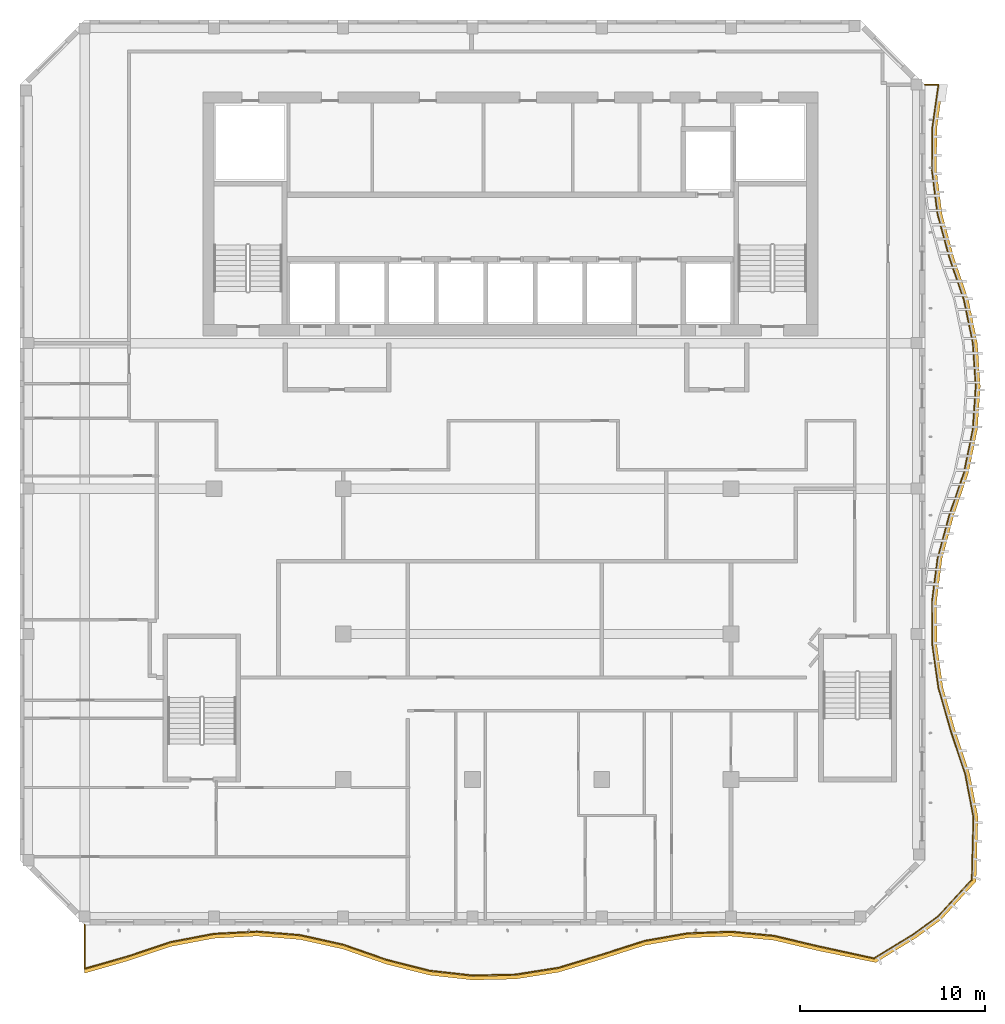
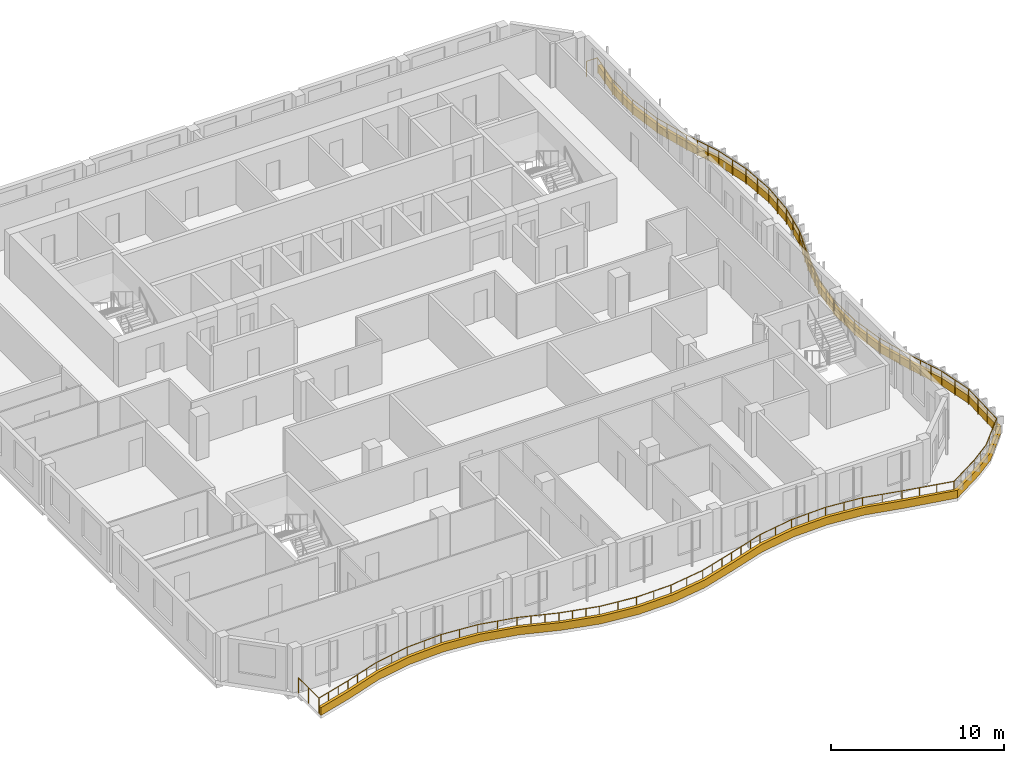
# One storey, part 12 of 17: 1 railing, 1 shading device.
"""IFC4 building model written with IfcOpenShell, lengths in metres."""

from ifc_helpers import new_model, si_unit, direction, frame, origin, origin_2d, place, context, subcontext, project, spatial, polyline, circle, outline, extrude, source, transform, mapped, material, layer, layer_set, type_object, element, save


model = new_model("IFC4")

# Units and contexts
model_context = context("Model", 3, precision=1e-05, world=origin(), true_north=direction((0.0, 1.0)))
body_context = subcontext(model_context, "Body", "Model", "MODEL_VIEW")
ifc_project = project(units=[si_unit("LENGTHUNIT", "METRE"), si_unit("AREAUNIT", "SQUARE_METRE"), si_unit("VOLUMEUNIT", "CUBIC_METRE"), si_unit("PLANEANGLEUNIT", "RADIAN"), si_unit("MASSUNIT", "GRAM", prefix="KILO")], contexts=[model_context])

# Site, building, storey
site_placement = place(None, origin())
site = spatial("IfcSite", under=ifc_project, at=site_placement, CompositionType="ELEMENT")
building_placement = place(site_placement, origin())
building = spatial("IfcBuilding", under=site, at=building_placement, Name="Kilnfold Tower and Market Hall", CompositionType="ELEMENT")
storey_placement = place(building_placement, frame((0.0, 0.0, 305.199951171875)))
storey = spatial("IfcBuildingStorey", under=building, at=storey_placement, Name="L76", CompositionType="ELEMENT", Elevation=305.199951171875)

# Railing
ifc_material_1 = material(Name="Stainless steel and laminated glass", Category="steel")
railing_type = type_object("IfcRailingType", Name="GUARD 1100", PredefinedType="GUARDRAIL", material=ifc_material_1)
railing_placement = place(storey_placement, frame((-22.0, -23.5, 0.0)))
element("IfcRailing", 1, at=railing_placement, inside=storey, type_object=railing_type, Name="Guard balcony L76", PredefinedType="GUARDRAIL", context=body_context, shape_type="SweptSolid", body=[
    extrude(circle(Radius=0.02490234375, at=origin_2d()), frame((0.0, 0.0, 1.0751953125), z_axis=(0.0, -1.0, 0.0), x_axis=(1.0, 0.0, 0.0)), (0.0, 0.0, 1.0), 2.367431640625),
    extrude(circle(Radius=0.02490234375, at=origin_2d()), frame((0.0, -2.367431640625, 1.0751953125), z_axis=(0.96113971032, 0.276062415489, 0.0), x_axis=(-0.276062415489, 0.96113971032, 0.0)), (0.0, 0.0, 1.0), 2.427490234375),
    extrude(circle(Radius=0.02490234375, at=origin_2d()), frame((2.333251953125, -1.697265625, 1.0751953125), z_axis=(0.94844487588, 0.316942135756, 0.0), x_axis=(-0.316942135756, 0.94844487588, 0.0)), (0.0, 0.0, 1.0), 2.46044921875),
    extrude(circle(Radius=0.02490234375, at=origin_2d()), frame((4.666748046875, -0.91748046875, 1.0751953125), z_axis=(0.982421246933, 0.186677512235, 0.0), x_axis=(-0.186677512235, 0.982421246933, 0.0)), (0.0, 0.0, 1.0), 2.375),
    extrude(circle(Radius=0.02490234375, at=origin_2d()), frame((7.0, -0.47412109375, 1.0751953125), z_axis=(0.998628776345, 0.052350425547, 0.0), x_axis=(-0.052350425547, 0.998628776345, 0.0)), (0.0, 0.0, 1.0), 2.33642578125),
    extrude(circle(Radius=0.02490234375, at=origin_2d()), frame((9.333251953125, -0.351806640625, 1.0751953125), z_axis=(0.996635774211, -0.081958120792, 0.0), x_axis=(0.081958120792, 0.996635774211, 0.0)), (0.0, 0.0, 1.0), 2.34130859375),
    extrude(circle(Radius=0.02490234375, at=origin_2d()), frame((11.666748046875, -0.543701171875, 1.0751953125), z_axis=(0.976355032101, -0.216173197439, 0.0), x_axis=(0.216173197439, 0.976355032101, 0.0)), (0.0, 0.0, 1.0), 2.3896484375),
    extrude(circle(Radius=0.02490234375, at=origin_2d()), frame((14.0, -1.060302734375, 1.0751953125), z_axis=(0.94404147133, -0.329826773336, 0.0), x_axis=(0.329826773336, 0.94404147133, 0.0)), (0.0, 0.0, 1.0), 2.471435546875),
    extrude(circle(Radius=0.02490234375, at=origin_2d()), frame((16.333251953125, -1.87548828125, 1.0751953125), z_axis=(0.969144312819, -0.246494018044, 0.0), x_axis=(0.246494018044, 0.969144312819, 0.0)), (0.0, 0.0, 1.0), 2.40771484375),
    extrude(circle(Radius=0.02490234375, at=origin_2d()), frame((18.666748046875, -2.468994140625, 1.0751953125), z_axis=(0.993686911197, -0.112188780703, 0.0), x_axis=(0.112188780703, 0.993686911197, 0.0)), (0.0, 0.0, 1.0), 2.34814453125),
    extrude(circle(Radius=0.02490234375, at=origin_2d()), frame((21.0, -2.732421875, 1.0751953125), z_axis=(0.999756368741, 0.022072679063, 0.0), x_axis=(-0.022072679063, 0.999756368741, 0.0)), (0.0, 0.0, 1.0), 2.333740234375),
    extrude(circle(Radius=0.02490234375, at=origin_2d()), frame((23.333251953125, -2.680908203125, 1.0751953125), z_axis=(0.987717677878, 0.156249124184, 0.0), x_axis=(-0.156249124184, 0.987717677878, 0.0)), (0.0, 0.0, 1.0), 2.362548828125),
    extrude(circle(Radius=0.02490234375, at=origin_2d()), frame((25.666748046875, -2.311767578125, 1.0751953125), z_axis=(0.956831366062, 0.290643659692, 0.0), x_axis=(-0.290643659692, 0.956831366062, 0.0)), (0.0, 0.0, 1.0), 2.4384765625),
    extrude(circle(Radius=0.02490234375, at=origin_2d()), frame((28.0, -1.60302734375, 1.0751953125), z_axis=(0.952083481777, 0.305838264001, 0.0), x_axis=(-0.305838264001, 0.952083481777, 0.0)), (0.0, 0.0, 1.0), 2.45068359375),
    extrude(circle(Radius=0.02490234375, at=origin_2d()), frame((30.333251953125, -0.853515625, 1.0751953125), z_axis=(0.985076806765, 0.172115324053, 0.0), x_axis=(-0.172115324053, 0.985076806765, 0.0)), (0.0, 0.0, 1.0), 2.368896484375),
    extrude(circle(Radius=0.02490234375, at=origin_2d()), frame((32.666748046875, -0.44580078125, 1.0751953125), z_axis=(0.999283399751, 0.037850851806, 0.0), x_axis=(-0.037850851806, 0.999283399751, 0.0)), (0.0, 0.0, 1.0), 2.3349609375),
    extrude(circle(Radius=0.02490234375, at=origin_2d()), frame((35.0, -0.357421875, 1.0751953125), z_axis=(0.995338733027, -0.09644068921, 0.0), x_axis=(0.09644068921, 0.995338733027, 0.0)), (0.0, 0.0, 1.0), 2.34423828125),
    extrude(circle(Radius=0.02490234375, at=origin_2d()), frame((37.333251953125, -0.58349609375, 1.0751953125), z_axis=(0.973028594078, -0.230684535905, 0.0), x_axis=(0.230684535905, 0.973028594078, 0.0)), (0.0, 0.0, 1.0), 2.398193359375),
    extrude(circle(Radius=0.02490234375, at=origin_2d()), frame((39.666748046875, -1.13671875, 1.0751953125), z_axis=(0.977117646737, -0.212699563786, 0.0), x_axis=(0.212699563786, 0.977117646737, 0.0)), (0.0, 0.0, 1.0), 3.154296875),
    extrude(circle(Radius=0.02490234375, at=origin_2d()), frame((42.748779296875, -1.8076171875, 1.0751953125), z_axis=(0.852892670022, 0.522086289249, 0.0), x_axis=(-0.522086289249, 0.852892670022, 0.0)), (0.0, 0.0, 1.0), 2.46728515625),
    extrude(circle(Radius=0.02490234375, at=origin_2d()), frame((44.85302734375, -0.51953125, 1.0751953125), z_axis=(0.809096176964, 0.587676251368, 0.0), x_axis=(-0.587676251368, 0.809096176964, 0.0)), (0.0, 0.0, 1.0), 1.67041015625),
    extrude(circle(Radius=0.02490234375, at=origin_2d()), frame((46.20458984375, 0.462158203125, 1.0751953125), z_axis=(0.678512597935, 0.734588765531, 0.0), x_axis=(-0.734588765531, 0.678512597935, 0.0)), (0.0, 0.0, 1.0), 2.70361328125),
    extrude(circle(Radius=0.02490234375, at=origin_2d()), frame((48.0390625, 2.4482421875, 1.0751953125), z_axis=(0.02530743456, 0.999679715587, 0.0), x_axis=(-0.999679715587, 0.02530743456, 0.0)), (0.0, 0.0, 1.0), 3.385986328125),
    extrude(circle(Radius=0.02490234375, at=origin_2d()), frame((48.124755859375, 5.833251953125, 1.0751953125), z_axis=(-0.187055433655, 0.982349359821, 0.0), x_axis=(-0.982349359821, -0.187055433655, 0.0)), (0.0, 0.0, 1.0), 2.37548828125),
    extrude(circle(Radius=0.02490234375, at=origin_2d()), frame((47.680419921875, 8.166748046875, 1.0751953125), z_axis=(-0.317418207313, 0.948285654044, 0.0), x_axis=(-0.948285654044, -0.317418207313, 0.0)), (0.0, 0.0, 1.0), 2.46044921875),
    extrude(circle(Radius=0.02490234375, at=origin_2d()), frame((46.8994140625, 10.5, 1.0751953125), z_axis=(-0.275504847693, 0.961299682148, 0.0), x_axis=(-0.961299682148, -0.275504847693, 0.0)), (0.0, 0.0, 1.0), 2.42724609375),
    extrude(circle(Radius=0.02490234375, at=origin_2d()), frame((46.230712890625, 12.833251953125, 1.0751953125), z_axis=(-0.141276349669, 0.989970198048, 0.0), x_axis=(-0.989970198048, -0.141276349669, 0.0)), (0.0, 0.0, 1.0), 2.357177734375),
    extrude(circle(Radius=0.02490234375, at=origin_2d()), frame((45.897705078125, 15.166748046875, 1.0751953125), z_axis=(-0.007010395898, 0.999975426873, 0.0), x_axis=(-0.999975426873, -0.007010395898, 0.0)), (0.0, 0.0, 1.0), 2.333251953125),
    extrude(circle(Radius=0.02490234375, at=origin_2d()), frame((45.88134765625, 17.5, 1.0751953125), z_axis=(0.12724024102, 0.991871927753, 0.0), x_axis=(-0.991871927753, 0.12724024102, 0.0)), (0.0, 0.0, 1.0), 2.352294921875),
    extrude(circle(Radius=0.02490234375, at=origin_2d()), frame((46.1806640625, 19.833251953125, 1.0751953125), z_axis=(0.261544835595, 0.965191327651, 0.0), x_axis=(-0.965191327651, 0.261544835595, 0.0)), (0.0, 0.0, 1.0), 2.417724609375),
    extrude(circle(Radius=0.02490234375, at=origin_2d()), frame((46.81298828125, 22.166748046875, 1.0751953125), z_axis=(0.324883398585, 0.945754078671, 0.0), x_axis=(-0.945754078671, 0.324883398585, 0.0)), (0.0, 0.0, 1.0), 2.467041015625),
    extrude(circle(Radius=0.02490234375, at=origin_2d()), frame((47.614501953125, 24.5, 1.0751953125), z_axis=(0.201100506753, 0.979570613169, 0.0), x_axis=(-0.979570613169, 0.201100506753, 0.0)), (0.0, 0.0, 1.0), 2.3818359375),
    extrude(circle(Radius=0.02490234375, at=origin_2d()), frame((48.093505859375, 26.833251953125, 1.0751953125), z_axis=(0.066913931739, 0.997758751272, 0.0), x_axis=(-0.997758751272, 0.066913931739, 0.0)), (0.0, 0.0, 1.0), 2.338623046875),
    extrude(circle(Radius=0.02490234375, at=origin_2d()), frame((48.25, 29.166748046875, 1.0751953125), z_axis=(-0.067440540817, 0.997723295034, 0.0), x_axis=(-0.997723295034, -0.067440540817, 0.0)), (0.0, 0.0, 1.0), 2.338623046875),
    extrude(circle(Radius=0.02490234375, at=origin_2d()), frame((48.09228515625, 31.5, 1.0751953125), z_axis=(-0.201592193466, 0.979469543954, 0.0), x_axis=(-0.979469543954, -0.201592193466, 0.0)), (0.0, 0.0, 1.0), 2.382080078125),
    extrude(circle(Radius=0.02490234375, at=origin_2d()), frame((47.612060546875, 33.833251953125, 1.0751953125), z_axis=(-0.325118480329, 0.945673291231, 0.0), x_axis=(-0.945673291231, -0.325118480329, 0.0)), (0.0, 0.0, 1.0), 2.467529296875),
    extrude(circle(Radius=0.02490234375, at=origin_2d()), frame((46.809814453125, 36.166748046875, 1.0751953125), z_axis=(-0.261005700354, 0.965337259398, 0.0), x_axis=(-0.965337259398, -0.261005700354, 0.0)), (0.0, 0.0, 1.0), 2.4169921875),
    extrude(circle(Radius=0.02490234375, at=origin_2d()), frame((46.178955078125, 38.5, 1.0751953125), z_axis=(-0.126729667634, 0.991937292041, 0.0), x_axis=(-0.991937292041, -0.126729667634, 0.0)), (0.0, 0.0, 1.0), 2.352294921875),
    extrude(circle(Radius=0.02490234375, at=origin_2d()), frame((45.880859375, 40.833251953125, 1.0751953125), z_axis=(0.007532742964, 0.999971628489, 0.0), x_axis=(-0.999971628489, 0.007532742964, 0.0)), (0.0, 0.0, 1.0), 2.33349609375),
    extrude(circle(Radius=0.02490234375, at=origin_2d()), frame((45.8984375, 43.166748046875, 1.0751953125), z_axis=(0.141696872456, 0.989910095077, 0.0), x_axis=(-0.989910095077, 0.141696872456, 0.0)), (0.0, 0.0, 1.0), 2.35693359375),
    extrude(circle(Radius=0.02490234375, at=origin_2d()), frame((46.232421875, 45.5, 1.0751953125), z_axis=(-1.0, 0.0, 0.0), x_axis=(0.0, -1.0, 0.0)), (0.0, 0.0, 1.0), 0.732421875),
    extrude(circle(Radius=0.02490234375, at=origin_2d()), origin(), (0.0, 0.0, 1.0), 1.050048828125),
    extrude(circle(Radius=0.02490234375, at=origin_2d()), frame((0.0, -1.18359375, 0.0)), (0.0, 0.0, 1.0), 1.050048828125),
    extrude(circle(Radius=0.02490234375, at=origin_2d()), frame((0.0, -2.367431640625, 0.0)), (0.0, 0.0, 1.0), 1.050048828125),
    extrude(circle(Radius=0.02490234375, at=origin_2d()), frame((0.77783203125, -2.14404296875, 0.0)), (0.0, 0.0, 1.0), 1.050048828125),
    extrude(circle(Radius=0.02490234375, at=origin_2d()), frame((1.555419921875, -1.920654296875, 0.0)), (0.0, 0.0, 1.0), 1.050048828125),
    extrude(circle(Radius=0.02490234375, at=origin_2d()), frame((2.333251953125, -1.697265625, 0.0)), (0.0, 0.0, 1.0), 1.050048828125),
    extrude(circle(Radius=0.02490234375, at=origin_2d()), frame((3.111083984375, -1.437255859375, 0.0)), (0.0, 0.0, 1.0), 1.050048828125),
    extrude(circle(Radius=0.02490234375, at=origin_2d()), frame((3.888916015625, -1.177490234375, 0.0)), (0.0, 0.0, 1.0), 1.050048828125),
    extrude(circle(Radius=0.02490234375, at=origin_2d()), frame((4.666748046875, -0.91748046875, 0.0)), (0.0, 0.0, 1.0), 1.050048828125),
    extrude(circle(Radius=0.02490234375, at=origin_2d()), frame((5.83349609375, -0.69580078125, 0.0)), (0.0, 0.0, 1.0), 1.050048828125),
    extrude(circle(Radius=0.02490234375, at=origin_2d()), frame((7.0, -0.47412109375, 0.0)), (0.0, 0.0, 1.0), 1.050048828125),
    extrude(circle(Radius=0.02490234375, at=origin_2d()), frame((8.16650390625, -0.4130859375, 0.0)), (0.0, 0.0, 1.0), 1.050048828125),
    extrude(circle(Radius=0.02490234375, at=origin_2d()), frame((9.333251953125, -0.351806640625, 0.0)), (0.0, 0.0, 1.0), 1.050048828125),
    extrude(circle(Radius=0.02490234375, at=origin_2d()), frame((10.5, -0.44775390625, 0.0)), (0.0, 0.0, 1.0), 1.050048828125),
    extrude(circle(Radius=0.02490234375, at=origin_2d()), frame((11.666748046875, -0.543701171875, 0.0)), (0.0, 0.0, 1.0), 1.050048828125),
    extrude(circle(Radius=0.02490234375, at=origin_2d()), frame((12.83349609375, -0.802001953125, 0.0)), (0.0, 0.0, 1.0), 1.050048828125),
    extrude(circle(Radius=0.02490234375, at=origin_2d()), frame((14.0, -1.060302734375, 0.0)), (0.0, 0.0, 1.0), 1.050048828125),
    extrude(circle(Radius=0.02490234375, at=origin_2d()), frame((14.77783203125, -1.33203125, 0.0)), (0.0, 0.0, 1.0), 1.050048828125),
    extrude(circle(Radius=0.02490234375, at=origin_2d()), frame((15.555419921875, -1.603759765625, 0.0)), (0.0, 0.0, 1.0), 1.050048828125),
    extrude(circle(Radius=0.02490234375, at=origin_2d()), frame((16.333251953125, -1.87548828125, 0.0)), (0.0, 0.0, 1.0), 1.050048828125),
    extrude(circle(Radius=0.02490234375, at=origin_2d()), frame((17.111083984375, -2.0732421875, 0.0)), (0.0, 0.0, 1.0), 1.050048828125),
    extrude(circle(Radius=0.02490234375, at=origin_2d()), frame((17.888916015625, -2.271240234375, 0.0)), (0.0, 0.0, 1.0), 1.050048828125),
    extrude(circle(Radius=0.02490234375, at=origin_2d()), frame((18.666748046875, -2.468994140625, 0.0)), (0.0, 0.0, 1.0), 1.050048828125),
    extrude(circle(Radius=0.02490234375, at=origin_2d()), frame((19.83349609375, -2.6005859375, 0.0)), (0.0, 0.0, 1.0), 1.050048828125),
    extrude(circle(Radius=0.02490234375, at=origin_2d()), frame((21.0, -2.732421875, 0.0)), (0.0, 0.0, 1.0), 1.050048828125),
    extrude(circle(Radius=0.02490234375, at=origin_2d()), frame((22.16650390625, -2.70654296875, 0.0)), (0.0, 0.0, 1.0), 1.050048828125),
    extrude(circle(Radius=0.02490234375, at=origin_2d()), frame((23.333251953125, -2.680908203125, 0.0)), (0.0, 0.0, 1.0), 1.050048828125),
    extrude(circle(Radius=0.02490234375, at=origin_2d()), frame((24.5, -2.496337890625, 0.0)), (0.0, 0.0, 1.0), 1.050048828125),
    extrude(circle(Radius=0.02490234375, at=origin_2d()), frame((25.666748046875, -2.311767578125, 0.0)), (0.0, 0.0, 1.0), 1.050048828125),
    extrude(circle(Radius=0.02490234375, at=origin_2d()), frame((26.444580078125, -2.075439453125, 0.0)), (0.0, 0.0, 1.0), 1.050048828125),
    extrude(circle(Radius=0.02490234375, at=origin_2d()), frame((27.22216796875, -1.83935546875, 0.0)), (0.0, 0.0, 1.0), 1.050048828125),
    extrude(circle(Radius=0.02490234375, at=origin_2d()), frame((28.0, -1.60302734375, 0.0)), (0.0, 0.0, 1.0), 1.050048828125),
    extrude(circle(Radius=0.02490234375, at=origin_2d()), frame((28.77783203125, -1.353271484375, 0.0)), (0.0, 0.0, 1.0), 1.050048828125),
    extrude(circle(Radius=0.02490234375, at=origin_2d()), frame((29.555419921875, -1.103271484375, 0.0)), (0.0, 0.0, 1.0), 1.050048828125),
    extrude(circle(Radius=0.02490234375, at=origin_2d()), frame((30.333251953125, -0.853515625, 0.0)), (0.0, 0.0, 1.0), 1.050048828125),
    extrude(circle(Radius=0.02490234375, at=origin_2d()), frame((31.5, -0.649658203125, 0.0)), (0.0, 0.0, 1.0), 1.050048828125),
    extrude(circle(Radius=0.02490234375, at=origin_2d()), frame((32.666748046875, -0.44580078125, 0.0)), (0.0, 0.0, 1.0), 1.050048828125),
    extrude(circle(Radius=0.02490234375, at=origin_2d()), frame((33.83349609375, -0.401611328125, 0.0)), (0.0, 0.0, 1.0), 1.050048828125),
    extrude(circle(Radius=0.02490234375, at=origin_2d()), frame((35.0, -0.357421875, 0.0)), (0.0, 0.0, 1.0), 1.050048828125),
    extrude(circle(Radius=0.02490234375, at=origin_2d()), frame((36.16650390625, -0.470458984375, 0.0)), (0.0, 0.0, 1.0), 1.050048828125),
    extrude(circle(Radius=0.02490234375, at=origin_2d()), frame((37.333251953125, -0.58349609375, 0.0)), (0.0, 0.0, 1.0), 1.050048828125),
    extrude(circle(Radius=0.02490234375, at=origin_2d()), frame((38.5, -0.860107421875, 0.0)), (0.0, 0.0, 1.0), 1.050048828125),
    extrude(circle(Radius=0.02490234375, at=origin_2d()), frame((39.666748046875, -1.13671875, 0.0)), (0.0, 0.0, 1.0), 1.050048828125),
    extrude(circle(Radius=0.02490234375, at=origin_2d()), frame((40.694091796875, -1.3603515625, 0.0)), (0.0, 0.0, 1.0), 1.050048828125),
    extrude(circle(Radius=0.02490234375, at=origin_2d()), frame((41.721435546875, -1.583984375, 0.0)), (0.0, 0.0, 1.0), 1.050048828125),
    extrude(circle(Radius=0.02490234375, at=origin_2d()), frame((42.748779296875, -1.8076171875, 0.0)), (0.0, 0.0, 1.0), 1.050048828125),
    extrude(circle(Radius=0.02490234375, at=origin_2d()), frame((43.4501953125, -1.378173828125, 0.0)), (0.0, 0.0, 1.0), 1.050048828125),
    extrude(circle(Radius=0.02490234375, at=origin_2d()), frame((44.151611328125, -0.948974609375, 0.0)), (0.0, 0.0, 1.0), 1.050048828125),
    extrude(circle(Radius=0.02490234375, at=origin_2d()), frame((44.85302734375, -0.51953125, 0.0)), (0.0, 0.0, 1.0), 1.050048828125),
    extrude(circle(Radius=0.02490234375, at=origin_2d()), frame((45.52880859375, -0.02880859375, 0.0)), (0.0, 0.0, 1.0), 1.050048828125),
    extrude(circle(Radius=0.02490234375, at=origin_2d()), frame((46.20458984375, 0.462158203125, 0.0)), (0.0, 0.0, 1.0), 1.050048828125),
    extrude(circle(Radius=0.02490234375, at=origin_2d()), frame((46.816162109375, 1.124267578125, 0.0)), (0.0, 0.0, 1.0), 1.050048828125),
    extrude(circle(Radius=0.02490234375, at=origin_2d()), frame((47.427490234375, 1.7861328125, 0.0)), (0.0, 0.0, 1.0), 1.050048828125),
    extrude(circle(Radius=0.02490234375, at=origin_2d()), frame((48.0390625, 2.4482421875, 0.0)), (0.0, 0.0, 1.0), 1.050048828125),
    extrude(circle(Radius=0.02490234375, at=origin_2d()), frame((48.067626953125, 3.57666015625, 0.0)), (0.0, 0.0, 1.0), 1.050048828125),
    extrude(circle(Radius=0.02490234375, at=origin_2d()), frame((48.09619140625, 4.704833984375, 0.0)), (0.0, 0.0, 1.0), 1.050048828125),
    extrude(circle(Radius=0.02490234375, at=origin_2d()), frame((48.124755859375, 5.833251953125, 0.0)), (0.0, 0.0, 1.0), 1.050048828125),
    extrude(circle(Radius=0.02490234375, at=origin_2d()), frame((47.902587890625, 7.0, 0.0)), (0.0, 0.0, 1.0), 1.050048828125),
    extrude(circle(Radius=0.02490234375, at=origin_2d()), frame((47.680419921875, 8.166748046875, 0.0)), (0.0, 0.0, 1.0), 1.050048828125),
    extrude(circle(Radius=0.02490234375, at=origin_2d()), frame((47.420166015625, 8.944580078125, 0.0)), (0.0, 0.0, 1.0), 1.050048828125),
    extrude(circle(Radius=0.02490234375, at=origin_2d()), frame((47.15966796875, 9.72216796875, 0.0)), (0.0, 0.0, 1.0), 1.050048828125),
    extrude(circle(Radius=0.02490234375, at=origin_2d()), frame((46.8994140625, 10.5, 0.0)), (0.0, 0.0, 1.0), 1.050048828125),
    extrude(circle(Radius=0.02490234375, at=origin_2d()), frame((46.676513671875, 11.27783203125, 0.0)), (0.0, 0.0, 1.0), 1.050048828125),
    extrude(circle(Radius=0.02490234375, at=origin_2d()), frame((46.45361328125, 12.055419921875, 0.0)), (0.0, 0.0, 1.0), 1.050048828125),
    extrude(circle(Radius=0.02490234375, at=origin_2d()), frame((46.230712890625, 12.833251953125, 0.0)), (0.0, 0.0, 1.0), 1.050048828125),
    extrude(circle(Radius=0.02490234375, at=origin_2d()), frame((46.064208984375, 14.0, 0.0)), (0.0, 0.0, 1.0), 1.050048828125),
    extrude(circle(Radius=0.02490234375, at=origin_2d()), frame((45.897705078125, 15.166748046875, 0.0)), (0.0, 0.0, 1.0), 1.050048828125),
    extrude(circle(Radius=0.02490234375, at=origin_2d()), frame((45.8896484375, 16.33349609375, 0.0)), (0.0, 0.0, 1.0), 1.050048828125),
    extrude(circle(Radius=0.02490234375, at=origin_2d()), frame((45.88134765625, 17.5, 0.0)), (0.0, 0.0, 1.0), 1.050048828125),
    extrude(circle(Radius=0.02490234375, at=origin_2d()), frame((46.031005859375, 18.66650390625, 0.0)), (0.0, 0.0, 1.0), 1.050048828125),
    extrude(circle(Radius=0.02490234375, at=origin_2d()), frame((46.1806640625, 19.833251953125, 0.0)), (0.0, 0.0, 1.0), 1.050048828125),
    extrude(circle(Radius=0.02490234375, at=origin_2d()), frame((46.391357421875, 20.611083984375, 0.0)), (0.0, 0.0, 1.0), 1.050048828125),
    extrude(circle(Radius=0.02490234375, at=origin_2d()), frame((46.602294921875, 21.388916015625, 0.0)), (0.0, 0.0, 1.0), 1.050048828125),
    extrude(circle(Radius=0.02490234375, at=origin_2d()), frame((46.81298828125, 22.166748046875, 0.0)), (0.0, 0.0, 1.0), 1.050048828125),
    extrude(circle(Radius=0.02490234375, at=origin_2d()), frame((47.080078125, 22.944580078125, 0.0)), (0.0, 0.0, 1.0), 1.050048828125),
    extrude(circle(Radius=0.02490234375, at=origin_2d()), frame((47.347412109375, 23.72216796875, 0.0)), (0.0, 0.0, 1.0), 1.050048828125),
    extrude(circle(Radius=0.02490234375, at=origin_2d()), frame((47.614501953125, 24.5, 0.0)), (0.0, 0.0, 1.0), 1.050048828125),
    extrude(circle(Radius=0.02490234375, at=origin_2d()), frame((47.85400390625, 25.66650390625, 0.0)), (0.0, 0.0, 1.0), 1.050048828125),
    extrude(circle(Radius=0.02490234375, at=origin_2d()), frame((48.093505859375, 26.833251953125, 0.0)), (0.0, 0.0, 1.0), 1.050048828125),
    extrude(circle(Radius=0.02490234375, at=origin_2d()), frame((48.171875, 28.0, 0.0)), (0.0, 0.0, 1.0), 1.050048828125),
    extrude(circle(Radius=0.02490234375, at=origin_2d()), frame((48.25, 29.166748046875, 0.0)), (0.0, 0.0, 1.0), 1.050048828125),
    extrude(circle(Radius=0.02490234375, at=origin_2d()), frame((48.171142578125, 30.33349609375, 0.0)), (0.0, 0.0, 1.0), 1.050048828125),
    extrude(circle(Radius=0.02490234375, at=origin_2d()), frame((48.09228515625, 31.5, 0.0)), (0.0, 0.0, 1.0), 1.050048828125),
    extrude(circle(Radius=0.02490234375, at=origin_2d()), frame((47.85205078125, 32.66650390625, 0.0)), (0.0, 0.0, 1.0), 1.050048828125),
    extrude(circle(Radius=0.02490234375, at=origin_2d()), frame((47.612060546875, 33.833251953125, 0.0)), (0.0, 0.0, 1.0), 1.050048828125),
    extrude(circle(Radius=0.02490234375, at=origin_2d()), frame((47.3447265625, 34.611083984375, 0.0)), (0.0, 0.0, 1.0), 1.050048828125),
    extrude(circle(Radius=0.02490234375, at=origin_2d()), frame((47.0771484375, 35.388916015625, 0.0)), (0.0, 0.0, 1.0), 1.050048828125),
    extrude(circle(Radius=0.02490234375, at=origin_2d()), frame((46.809814453125, 36.166748046875, 0.0)), (0.0, 0.0, 1.0), 1.050048828125),
    extrude(circle(Radius=0.02490234375, at=origin_2d()), frame((46.599609375, 36.944580078125, 0.0)), (0.0, 0.0, 1.0), 1.050048828125),
    extrude(circle(Radius=0.02490234375, at=origin_2d()), frame((46.38916015625, 37.72216796875, 0.0)), (0.0, 0.0, 1.0), 1.050048828125),
    extrude(circle(Radius=0.02490234375, at=origin_2d()), frame((46.178955078125, 38.5, 0.0)), (0.0, 0.0, 1.0), 1.050048828125),
    extrude(circle(Radius=0.02490234375, at=origin_2d()), frame((46.02978515625, 39.66650390625, 0.0)), (0.0, 0.0, 1.0), 1.050048828125),
    extrude(circle(Radius=0.02490234375, at=origin_2d()), frame((45.880859375, 40.833251953125, 0.0)), (0.0, 0.0, 1.0), 1.050048828125),
    extrude(circle(Radius=0.02490234375, at=origin_2d()), frame((45.8896484375, 42.0, 0.0)), (0.0, 0.0, 1.0), 1.050048828125),
    extrude(circle(Radius=0.02490234375, at=origin_2d()), frame((45.8984375, 43.166748046875, 0.0)), (0.0, 0.0, 1.0), 1.050048828125),
    extrude(circle(Radius=0.02490234375, at=origin_2d()), frame((46.0654296875, 44.33349609375, 0.0)), (0.0, 0.0, 1.0), 1.050048828125),
    extrude(circle(Radius=0.02490234375, at=origin_2d()), frame((46.232421875, 45.5, 0.0)), (0.0, 0.0, 1.0), 1.050048828125),
    extrude(circle(Radius=0.02490234375, at=origin_2d()), frame((45.5, 45.5, 0.0)), (0.0, 0.0, 1.0), 1.050048828125),
])

# Shading device
ifc_material_2 = material(Name="Precast concrete C50/60", Category="concrete")
ifc_layer = layer(ifc_material_2, 0.550048828125)
ifc_layer_set = layer_set([ifc_layer], Name="Precast concrete C50/60")
shading_device_type = type_object("IfcShadingDeviceType", Name="BALCONY UPSTAND 550", PredefinedType="USERDEFINED", material=ifc_layer_set)
shared_shape = source(origin(), body_context, "Body", "SweptSolid", [
    extrude(outline(polyline([(-22.0, -26.117431640625), (-19.666748046875, -25.447265625), (-17.333251953125, -24.66748046875), (-15.0, -24.22412109375), (-12.666748046875, -24.101806640625), (-10.333251953125, -24.293701171875), (-8.0, -24.810302734375), (-5.666748046875, -25.62548828125), (-3.333251953125, -26.218994140625), (-1.0, -26.482421875), (1.333251953125, -26.430908203125), (3.666748046875, -26.061767578125), (6.0, -25.35302734375), (8.333251953125, -24.603515625), (10.666748046875, -24.19580078125), (13.0, -24.107421875), (15.333251953125, -24.33349609375), (17.666748046875, -24.88671875), (20.844482421875, -25.53857421875), (23.02978515625, -24.1962890625), (24.38134765625, -23.214599609375), (26.27001953125, -21.1474609375), (26.374755859375, -17.666748046875), (25.930419921875, -15.333251953125), (25.1494140625, -13.0), (24.480712890625, -10.666748046875), (24.147705078125, -8.333251953125), (24.13134765625, -6.0), (24.4306640625, -3.666748046875), (25.06298828125, -1.333251953125), (25.864501953125, 1.0), (26.343505859375, 3.333251953125), (26.5, 5.666748046875), (26.34228515625, 8.0), (25.862060546875, 10.333251953125), (25.059814453125, 12.666748046875), (24.428955078125, 15.0), (24.130859375, 17.333251953125), (24.1484375, 19.666748046875), (24.482421875, 22.0), (24.282470703125, 22.0), (23.948486328125, 19.666748046875), (23.930908203125, 17.333251953125), (24.22900390625, 15.0), (24.85986328125, 12.666748046875), (25.662109375, 10.333251953125), (26.142333984375, 8.0), (26.300048828125, 5.666748046875), (26.1435546875, 3.333251953125), (25.66455078125, 1.0), (24.86279296875, -1.333251953125), (24.230712890625, -3.666748046875), (23.931396484375, -6.0), (23.94775390625, -8.333251953125), (24.28076171875, -10.666748046875), (24.949462890625, -13.0), (25.730224609375, -15.333251953125), (26.1748046875, -17.666748046875), (26.085205078125, -21.07080078125), (24.239990234375, -23.0732421875), (22.888427734375, -24.054931640625), (20.767822265625, -25.353759765625), (17.666748046875, -24.686767578125), (15.333251953125, -24.133544921875), (13.0, -23.907470703125), (10.666748046875, -23.995849609375), (8.333251953125, -24.4033203125), (6.0, -25.153076171875), (3.666748046875, -25.86181640625), (1.333251953125, -26.23095703125), (-1.0, -26.282470703125), (-3.333251953125, -26.018798828125), (-5.666748046875, -25.42529296875), (-8.0, -24.6103515625), (-10.333251953125, -24.093505859375), (-12.666748046875, -23.90185546875), (-15.0, -24.024169921875), (-17.333251953125, -24.46728515625), (-19.666748046875, -25.247314453125), (-22.0, -25.91748046875), (-22.0, -26.117431640625)])), origin(), (0.0, 0.0, 1.0), 0.550048828125),
])
shading_device_placement = place(storey_placement, origin())
element("IfcShadingDevice", 2, at=shading_device_placement, inside=storey, type_object=shading_device_type, Name="Balcony fascia L76", ObjectType="FASCIA", PredefinedType="USERDEFINED", context=body_context, shape_type="MappedRepresentation", body=[
    mapped(shared_shape, transform((0.0, 0.0, 0.0))),
])

save(model, "model.ifc")
